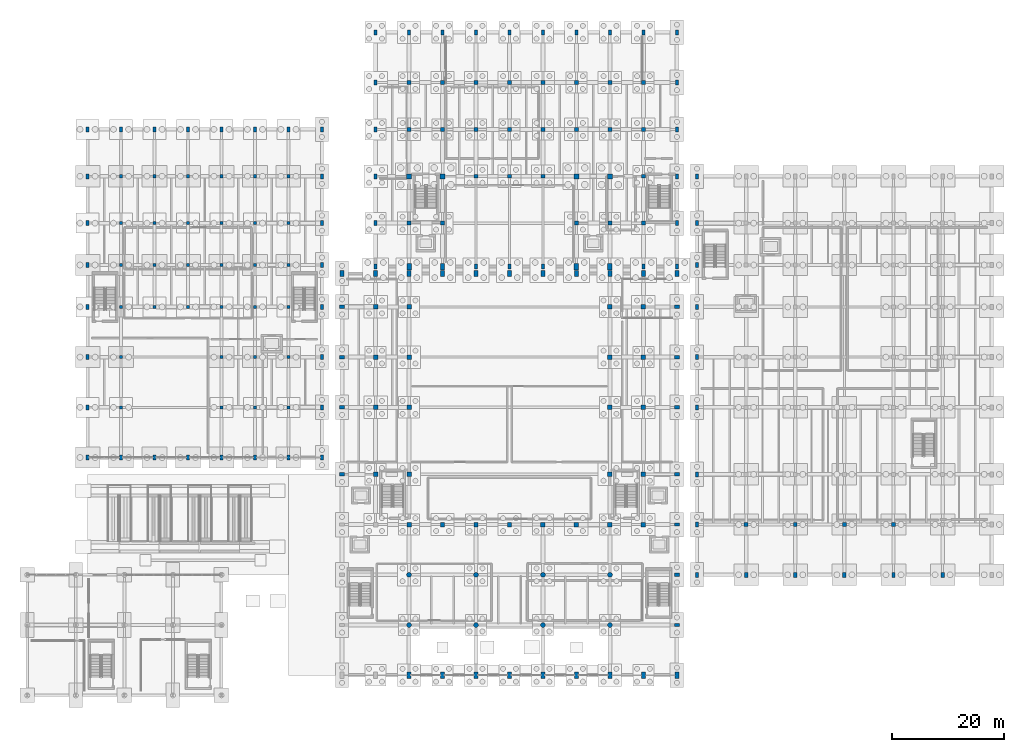
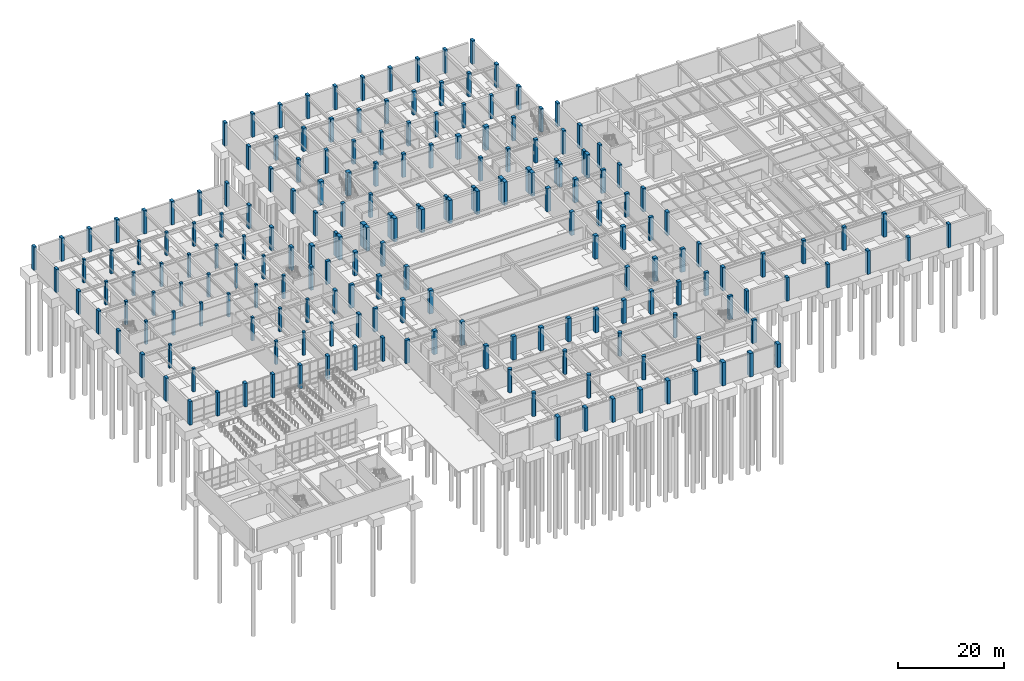
# One storey, part 14 of 69: 198 columns.
"""IFC4 building model written with IfcOpenShell, lengths in metres."""

import ifcopenshell
import ifcopenshell.guid

model = None  # the IFC model being written
_history = None  # IfcOwnerHistory: only IFC2X3 demands one
_inside = {}  # id of a spatial element -> (the spatial element, [elements in it])
_under = {}  # id of a project, library or spatial element -> (it, [spatial elements below it])
_declared = {}  # id of a project -> (the project, [libraries it declares])
_typed = {}  # id of a type object -> (the type object, [elements of that type])
_made_of = {}  # id of a material, layer set ... -> (it, [elements and type objects made of it])


def new_model(schema):
    """Start an empty IFC model of exactly this schema.

    Asked for "IFC4X3", IfcOpenShell would pick the latest addendum, in which some entities
    have other attributes; the version numbers below select the first issue.
    IFC2X3 requires an IfcOwnerHistory on every rooted entity: one is made here for all.
    """
    global model, _history
    if schema == "IFC4X3":
        model = ifcopenshell.file(schema_version=(4, 3, 0, 0))
    else:
        model = ifcopenshell.file(schema=schema)
    _inside.clear()
    _under.clear()
    _declared.clear()
    _typed.clear()
    _made_of.clear()
    _history = None
    if model.schema == "IFC2X3":
        org = make("IfcOrganization", Name="unknown")
        user = make(
            "IfcPersonAndOrganization",
            ThePerson=make("IfcPerson", FamilyName="unknown"),
            TheOrganization=org,
        )
        app = make(
            "IfcApplication",
            ApplicationDeveloper=org,
            Version="unknown",
            ApplicationFullName="unknown",
            ApplicationIdentifier="unknown",
        )
        _history = make(
            "IfcOwnerHistory",
            OwningUser=user,
            OwningApplication=app,
            ChangeAction="ADDED",
            CreationDate=0,
        )
    return model


def make(cls, **values):
    """One entity of the class cls with the attributes given. An attribute that is None is left unset."""
    return model.create_entity(
        cls, **{name: value for name, value in values.items() if value is not None}
    )


def rooted(cls, **values):
    """An entity with a GlobalId (a new one), such as an element, a storey or a relation."""
    return make(cls, GlobalId=ifcopenshell.guid.new(), OwnerHistory=_history, **values)


def si_unit(unit_type, name, prefix=None):
    """IfcSIUnit, for example si_unit("LENGTHUNIT", "METRE", prefix="MILLI")."""
    return make("IfcSIUnit", UnitType=unit_type, Prefix=prefix, Name=name)


def assignment(units):
    """IfcUnitAssignment: the units of a project."""
    return None if units is None else make("IfcUnitAssignment", Units=units)


def point(xyz):
    """IfcCartesianPoint."""
    return None if xyz is None else make("IfcCartesianPoint", Coordinates=xyz)


def direction(xyz):
    """IfcDirection."""
    return None if xyz is None else make("IfcDirection", DirectionRatios=xyz)


def frame(location, z_axis=None, x_axis=None):
    """IfcAxis2Placement3D, a coordinate frame: its origin and axes. An axis left out is left unset."""
    return make(
        "IfcAxis2Placement3D",
        Location=point(location),
        Axis=direction(z_axis),
        RefDirection=direction(x_axis),
    )


def frame_2d(location, x_axis=None):
    """IfcAxis2Placement2D, a coordinate frame in the plane: its origin and x axis."""
    return make(
        "IfcAxis2Placement2D", Location=point(location), RefDirection=direction(x_axis)
    )


def origin():
    """The frame at (0, 0, 0) with its axes left unset."""
    return frame((0.0, 0.0, 0.0))


def origin_2d():
    """The frame at (0, 0) in the plane with its x axis left unset."""
    return frame_2d((0.0, 0.0))


def place(relative_to, where):
    """IfcLocalPlacement: puts the frame where relative to a parent placement (None: the world)."""
    return make(
        "IfcLocalPlacement", PlacementRelTo=relative_to, RelativePlacement=where
    )


def context(
    kind, dimensions, precision=None, world=None, true_north=None, identifier=None
):
    """IfcGeometricRepresentationContext, for example the 3D "Model" context."""
    return make(
        "IfcGeometricRepresentationContext",
        ContextIdentifier=identifier,
        ContextType=kind,
        CoordinateSpaceDimension=dimensions,
        Precision=precision,
        WorldCoordinateSystem=world,
        TrueNorth=true_north,
    )


def subcontext(parent, identifier, kind, view, scale=None):
    """IfcGeometricRepresentationSubContext, for example "Body" below "Model"."""
    return make(
        "IfcGeometricRepresentationSubContext",
        ContextIdentifier=identifier,
        ContextType=kind,
        ParentContext=parent,
        TargetScale=scale,
        TargetView=view,
    )


def project(units=None, contexts=None):
    """IfcProject with its units and contexts."""
    return rooted(
        "IfcProject",
        Name="project",
        RepresentationContexts=contexts,
        UnitsInContext=assignment(units),
    )


def spatial(cls, under=None, at=None, **own):
    """A site, building, storey or space (cls), placed at a placement, below another one or the project."""
    s = rooted(cls, ObjectPlacement=at, **own)
    if under is not None:
        _under.setdefault(under.id(), (under, []))[1].append(s)
    return s


def profile(cls, at=None, kind="AREA", **sizes):
    """A parametric profile (cls). Its sizes go by their IFC names, for example OverallWidth=200.0."""
    return make(cls, ProfileType=kind, Position=at, **sizes)


def rectangle(**sizes):
    """IfcRectangleProfileDef."""
    return profile("IfcRectangleProfileDef", **sizes)


def circle(**sizes):
    """IfcCircleProfileDef."""
    return profile("IfcCircleProfileDef", **sizes)


def extrude(swept, where, along, depth):
    """IfcExtrudedAreaSolid: the profile swept, set in the frame where, extruded along a direction by depth."""
    return make(
        "IfcExtrudedAreaSolid",
        SweptArea=swept,
        Position=where,
        ExtrudedDirection=direction(along),
        Depth=depth,
    )


def shape(context_of_items, identifier, shape_type, items):
    """IfcShapeRepresentation: the items that make up one representation, for example the "Body"."""
    return make(
        "IfcShapeRepresentation",
        ContextOfItems=context_of_items,
        RepresentationIdentifier=identifier,
        RepresentationType=shape_type,
        Items=items,
    )


def material(Name=None, Category=None):
    """IfcMaterial."""
    return make("IfcMaterial", Name=Name, Category=Category)


def material_profile(
    of_material, cross_section, Name=None, Category=None, Priority=None
):
    """IfcMaterialProfile: a cross section and its material."""
    return make(
        "IfcMaterialProfile",
        Name=Name,
        Material=of_material,
        Profile=cross_section,
        Priority=Priority,
        Category=Category,
    )


def profile_set(profiles, Name=None, composite=None):
    """IfcMaterialProfileSet."""
    return make(
        "IfcMaterialProfileSet",
        Name=Name,
        MaterialProfiles=profiles,
        CompositeProfile=composite,
    )


def made_of(thing, what):
    """Note that an element or type object is made of a material, layer set ...; save() writes the relation."""
    if what is not None:
        _made_of.setdefault(what.id(), (what, []))[1].append(thing)
    return thing


def type_object(cls, material=None, **own):
    """A type object (cls), such as IfcWallType, which elements share."""
    return made_of(rooted(cls, **own), material)


def element(
    cls,
    number,
    at=None,
    inside=None,
    cuts=None,
    type_object=None,
    material=None,
    context=None,
    identifier="Body",
    shape_type=None,
    held_by="IfcProductDefinitionShape",
    body=None,
    shapes=None,
    **own,
):
    """One element of the class cls, such as IfcWall. Its Tag is "e" and its number.

    at: its placement. inside: the storey or other place that contains it. cuts: it is an
    opening in that element (IfcRelVoidsElement). A single representation is given by context,
    identifier, shape_type and body (its items); several are given by shapes. held_by: the class
    of the entity that holds the representations. save() writes the other relations.
    """
    e = rooted(cls, Tag="e%d" % number, ObjectPlacement=at, **own)
    if body is not None:
        shapes = [shape(context, identifier, shape_type, body)]
    if shapes is not None:
        e.Representation = make(held_by, Representations=shapes)
    if inside is not None:
        _inside.setdefault(inside.id(), (inside, []))[1].append(e)
    if cuts is not None:
        rooted(
            "IfcRelVoidsElement", RelatingBuildingElement=cuts, RelatedOpeningElement=e
        )
    if type_object is not None:
        _typed.setdefault(type_object.id(), (type_object, []))[1].append(e)
    return made_of(e, material)


def aggregate(whole, parts):
    """IfcRelAggregates: a whole, such as a stair, and the parts it consists of."""
    return rooted("IfcRelAggregates", RelatingObject=whole, RelatedObjects=parts)


def save(model, path):
    """Write the relations noted so far, then the file.

    IfcRelAggregates (storeys below a building ...), IfcRelContainedInSpatialStructure (elements
    in a storey), IfcRelDefinesByType, IfcRelAssociatesMaterial and IfcRelDeclares: one each for
    every whole, place, type object, material and project.
    """
    for whole, parts in _under.values():
        aggregate(whole, parts)
    for where, things in _inside.values():
        rooted(
            "IfcRelContainedInSpatialStructure",
            RelatedElements=things,
            RelatingStructure=where,
        )
    for kind, things in _typed.values():
        rooted("IfcRelDefinesByType", RelatedObjects=things, RelatingType=kind)
    for what, things in _made_of.values():
        rooted("IfcRelAssociatesMaterial", RelatedObjects=things, RelatingMaterial=what)
    for by, libraries in _declared.values():
        rooted("IfcRelDeclares", RelatingContext=by, RelatedDefinitions=libraries)
    model.write(path)


model = new_model("IFC4")

# Units and contexts
model_context = context("Model", 3, precision=1e-05, world=origin(), true_north=direction((0.0, 1.0)))
body_context = subcontext(model_context, "Body", "Model", "MODEL_VIEW")
ifc_project = project(units=[si_unit("LENGTHUNIT", "METRE"), si_unit("AREAUNIT", "SQUARE_METRE"), si_unit("VOLUMEUNIT", "CUBIC_METRE"), si_unit("PLANEANGLEUNIT", "RADIAN"), si_unit("MASSUNIT", "GRAM", prefix="KILO")], contexts=[model_context])

# Site, building, storey
site_placement = place(None, origin())
site = spatial("IfcSite", under=ifc_project, at=site_placement, CompositionType="ELEMENT")
building_placement = place(site_placement, origin())
building = spatial("IfcBuilding", under=site, at=building_placement, Name="Vaelkrest Opera House", CompositionType="ELEMENT")
storey_placement = place(building_placement, frame((0.0, 0.0, -5.39990234375)))
storey = spatial("IfcBuildingStorey", under=building, at=storey_placement, Name="B1", CompositionType="ELEMENT", Elevation=-5.39990234375)

# Columns
ifc_material = material(Name="Concrete C50/60", Category="concrete")
ifc_material_profile_1 = material_profile(ifc_material, rectangle(XDim=0.699951171875, YDim=0.699951171875, at=origin_2d()), Name="RC700X700")
ifc_profile_set_1 = profile_set([ifc_material_profile_1], Name="Concrete C50/60")
column_type_1 = type_object("IfcColumnType", Name="C03", PredefinedType="COLUMN", material=ifc_profile_set_1)
for number, where, z_axis, x_axis, name in (
    (1, (-18.0, 25.199951171875, 0.0), (0.0, 0.0, 1.0), (1.0, 0.0, 0.0), "Column COL-V2-B1-0463"),
    (2, (-18.0, 42.0, 0.0), (0.0, 0.0, 1.0), (1.0, 0.0, 0.0), "Column COL-V2-B1-0465"),
    (3, (-18.0, 50.39990234375, 0.0), (0.0, 0.0, 1.0), (1.0, 0.0, 0.0), "Column COL-V2-B1-0466"),
    (4, (-12.0, 25.199951171875, 0.0), (0.0, 0.0, 1.0), (1.0, 0.0, 0.0), "Column COL-V2-B1-0469"),
    (5, (-12.0, 42.0, 0.0), (0.0, 0.0, 1.0), (1.0, 0.0, 0.0), "Column COL-V2-B1-0471"),
    (6, (-12.0, 50.39990234375, 0.0), (0.0, 0.0, 1.0), (1.0, 0.0, 0.0), "Column COL-V2-B1-0472"),
    (7, (-6.0, 33.60009765625, 0.0), (0.0, 0.0, 1.0), (1.0, 0.0, 0.0), "Column COL-V2-B1-0475"),
    (8, (-6.0, 42.0, 0.0), (0.0, 0.0, 1.0), (1.0, 0.0, 0.0), "Column COL-V2-B1-0476"),
    (9, (-6.0, 50.39990234375, 0.0), (0.0, 0.0, 1.0), (1.0, 0.0, 0.0), "Column COL-V2-B1-0477"),
    (10, (0.0, 33.60009765625, 0.0), (0.0, 0.0, 1.0), (1.0, 0.0, 0.0), "Column COL-V2-B1-0480"),
    (11, (0.0, 42.0, 0.0), (0.0, 0.0, 1.0), (1.0, 0.0, 0.0), "Column COL-V2-B1-0481"),
    (12, (0.0, 50.39990234375, 0.0), (0.0, 0.0, 1.0), (1.0, 0.0, 0.0), "Column COL-V2-B1-0482"),
    (13, (6.0, 33.60009765625, 0.0), (0.0, 0.0, 1.0), (1.0, 0.0, 0.0), "Column COL-V2-B1-0485"),
    (14, (6.0, 42.0, 0.0), (0.0, 0.0, 1.0), (1.0, 0.0, 0.0), "Column COL-V2-B1-0486"),
    (15, (6.0, 50.39990234375, 0.0), (0.0, 0.0, 1.0), (1.0, 0.0, 0.0), "Column COL-V2-B1-0487"),
    (16, (12.0, 25.199951171875, 0.0), (0.0, 0.0, 1.0), (1.0, 0.0, 0.0), "Column COL-V2-B1-0490"),
    (17, (12.0, 42.0, 0.0), (0.0, 0.0, 1.0), (1.0, 0.0, 0.0), "Column COL-V2-B1-0492"),
    (18, (12.0, 50.39990234375, 0.0), (0.0, 0.0, 1.0), (1.0, 0.0, 0.0), "Column COL-V2-B1-0493"),
    (19, (18.0, 25.199951171875, 0.0), (0.0, 0.0, 1.0), (1.0, 0.0, 0.0), "Column COL-V2-B1-0496"),
    (20, (18.0, 42.0, 0.0), (0.0, 0.0, 1.0), (1.0, 0.0, 0.0), "Column COL-V2-B1-0498"),
    (21, (18.0, 50.39990234375, 0.0), (0.0, 0.0, 1.0), (1.0, 0.0, 0.0), "Column COL-V2-B1-0499"),
    (22, (24.0, 25.199951171875, 0.0), (0.0, 0.0, 1.0), (1.0, 0.0, 0.0), "Column COL-V2-B1-0502"),
    (23, (24.0, 33.60009765625, 0.0), (0.0, 0.0, 1.0), (1.0, 0.0, 0.0), "Column COL-V2-B1-0503"),
    (24, (24.0, 42.0, 0.0), (0.0, 0.0, 1.0), (1.0, 0.0, 0.0), "Column COL-V2-B1-0504"),
    (25, (24.0, 50.39990234375, 0.0), (0.0, 0.0, 1.0), (1.0, 0.0, 0.0), "Column COL-V2-B1-0505"),
    (26, (42.39990234375, -28.800048828125, 0.0), (0.0, 0.0, 1.0), (1.0, 0.0, 0.0), "Column COL-V4-B1-1130"),
    (27, (51.199951171875, -28.800048828125, 0.0), (0.0, 0.0, 1.0), (1.0, 0.0, 0.0), "Column COL-V4-B1-1139"),
    (28, (60.0, -28.800048828125, 0.0), (0.0, 0.0, 1.0), (1.0, 0.0, 0.0), "Column COL-V4-B1-1148"),
    (29, (68.800048828125, -28.800048828125, 0.0), (0.0, 0.0, 1.0), (1.0, 0.0, 0.0), "Column COL-V4-B1-1155"),
):
    element("IfcColumn", number, at=place(storey_placement, frame(where, z_axis=z_axis, x_axis=x_axis)), inside=storey, type_object=column_type_1, Name=name, PredefinedType="COLUMN", context=body_context, shape_type="SweptSolid", body=[
        extrude(rectangle(XDim=0.699951171875, YDim=0.699951171875, at=origin_2d()), origin(), (0.0, 0.0, 1.0), 5.39990234375),
    ])
ifc_material_profile_2 = material_profile(ifc_material, rectangle(XDim=0.800048828125, YDim=0.800048828125, at=origin_2d()), Name="RC800X800")
ifc_profile_set_2 = profile_set([ifc_material_profile_2], Name="Concrete C50/60")
column_type_2 = type_object("IfcColumnType", Name="C04", PredefinedType="COLUMN", material=ifc_profile_set_2)
for number, where, z_axis, x_axis, name in (
    (30, (-24.0, -19.800048828125, 0.0), (0.0, 0.0, 1.0), (1.0, 0.0, 0.0), "Column COL-V1-B1-0012"),
    (31, (-24.0, -7.800048828125, 0.0), (0.0, 0.0, 1.0), (1.0, 0.0, 0.0), "Column COL-V1-B1-0013"),
    (32, (-24.0, 1.199951171875, 0.0), (0.0, 0.0, 1.0), (1.0, 0.0, 0.0), "Column COL-V1-B1-0014"),
    (33, (-24.0, 10.199951171875, 0.0), (0.0, 0.0, 1.0), (1.0, 0.0, 0.0), "Column COL-V1-B1-0015"),
    (34, (-18.0, -28.800048828125, 0.0), (0.0, 0.0, 1.0), (1.0, 0.0, 0.0), "Column COL-V1-B1-0020"),
    (35, (-18.0, -19.800048828125, 0.0), (0.0, 0.0, 1.0), (1.0, 0.0, 0.0), "Column COL-V1-B1-0021"),
    (36, (-18.0, -7.800048828125, 0.0), (0.0, 0.0, 1.0), (1.0, 0.0, 0.0), "Column COL-V1-B1-0022"),
    (37, (-18.0, 1.199951171875, 0.0), (0.0, 0.0, 1.0), (1.0, 0.0, 0.0), "Column COL-V1-B1-0023"),
    (38, (-18.0, 10.199951171875, 0.0), (0.0, 0.0, 1.0), (1.0, 0.0, 0.0), "Column COL-V1-B1-0024"),
    (39, (-12.0, -28.800048828125, 0.0), (0.0, 0.0, 1.0), (1.0, 0.0, 0.0), "Column COL-V1-B1-0027"),
    (40, (-6.0, -28.800048828125, 0.0), (0.0, 0.0, 1.0), (1.0, 0.0, 0.0), "Column COL-V1-B1-0032"),
    (41, (0.0, -28.800048828125, 0.0), (0.0, 0.0, 1.0), (1.0, 0.0, 0.0), "Column COL-V1-B1-0035"),
    (42, (6.0, -28.800048828125, 0.0), (0.0, 0.0, 1.0), (1.0, 0.0, 0.0), "Column COL-V1-B1-0040"),
    (43, (12.0, -28.800048828125, 0.0), (0.0, 0.0, 1.0), (1.0, 0.0, 0.0), "Column COL-V1-B1-0043"),
    (44, (18.0, -28.800048828125, 0.0), (0.0, 0.0, 1.0), (1.0, 0.0, 0.0), "Column COL-V1-B1-0048"),
    (45, (18.0, -19.800048828125, 0.0), (0.0, 0.0, 1.0), (1.0, 0.0, 0.0), "Column COL-V1-B1-0049"),
    (46, (18.0, -7.800048828125, 0.0), (0.0, 0.0, 1.0), (1.0, 0.0, 0.0), "Column COL-V1-B1-0050"),
    (47, (18.0, 1.199951171875, 0.0), (0.0, 0.0, 1.0), (1.0, 0.0, 0.0), "Column COL-V1-B1-0051"),
    (48, (18.0, 10.199951171875, 0.0), (0.0, 0.0, 1.0), (1.0, 0.0, 0.0), "Column COL-V1-B1-0052"),
    (49, (24.0, -28.800048828125, 0.0), (0.0, 0.0, 1.0), (1.0, 0.0, 0.0), "Column COL-V1-B1-0055"),
    (50, (24.0, -19.800048828125, 0.0), (0.0, 0.0, 1.0), (1.0, 0.0, 0.0), "Column COL-V1-B1-0056"),
    (51, (24.0, -7.800048828125, 0.0), (0.0, 0.0, 1.0), (1.0, 0.0, 0.0), "Column COL-V1-B1-0057"),
    (52, (24.0, 1.199951171875, 0.0), (0.0, 0.0, 1.0), (1.0, 0.0, 0.0), "Column COL-V1-B1-0058"),
    (53, (24.0, 10.199951171875, 0.0), (0.0, 0.0, 1.0), (1.0, 0.0, 0.0), "Column COL-V1-B1-0059"),
):
    element("IfcColumn", number, at=place(storey_placement, frame(where, z_axis=z_axis, x_axis=x_axis)), inside=storey, type_object=column_type_2, Name=name, PredefinedType="COLUMN", context=body_context, shape_type="SweptSolid", body=[
        extrude(rectangle(XDim=0.800048828125, YDim=0.800048828125, at=origin_2d()), origin(), (0.0, 0.0, 1.0), 5.39990234375),
    ])
ifc_material_profile_3 = material_profile(ifc_material, rectangle(XDim=0.89990234375, YDim=0.89990234375, at=origin_2d()), Name="RC900X900")
ifc_profile_set_3 = profile_set([ifc_material_profile_3], Name="Concrete C50/60")
column_type_3 = type_object("IfcColumnType", Name="C05", PredefinedType="COLUMN", material=ifc_profile_set_3)
for number, where, z_axis, x_axis, name in (
    (54, (-18.0, 33.60009765625, 0.0), (0.0, 0.0, 1.0), (1.0, 0.0, 0.0), "Column COL-V2-B1-0464"),
    (55, (-12.0, 33.60009765625, 0.0), (0.0, 0.0, 1.0), (1.0, 0.0, 0.0), "Column COL-V2-B1-0470"),
    (56, (12.0, 33.60009765625, 0.0), (0.0, 0.0, 1.0), (1.0, 0.0, 0.0), "Column COL-V2-B1-0491"),
    (57, (18.0, 33.60009765625, 0.0), (0.0, 0.0, 1.0), (1.0, 0.0, 0.0), "Column COL-V2-B1-0497"),
):
    element("IfcColumn", number, at=place(storey_placement, frame(where, z_axis=z_axis, x_axis=x_axis)), inside=storey, type_object=column_type_3, Name=name, PredefinedType="COLUMN", context=body_context, shape_type="SweptSolid", body=[
        extrude(rectangle(XDim=0.89990234375, YDim=0.89990234375, at=origin_2d()), origin(), (0.0, 0.0, 1.0), 5.39990234375),
    ])
ifc_material_profile_4 = material_profile(ifc_material, rectangle(XDim=0.60009765625, YDim=0.89990234375, at=origin_2d()), Name="RC600X900")
ifc_profile_set_4 = profile_set([ifc_material_profile_4], Name="Concrete C50/60")
column_type_4 = type_object("IfcColumnType", Name="C06", PredefinedType="COLUMN", material=ifc_profile_set_4)
for number, where, z_axis, x_axis, name in (
    (58, (-30.0, -19.800048828125, 0.0), (0.0, 0.0, 1.0), (0.0, 1.0, 0.0), "Column COL-V1-B1-0005"),
    (59, (-30.0, -7.800048828125, 0.0), (0.0, 0.0, 1.0), (0.0, 1.0, 0.0), "Column COL-V1-B1-0006"),
    (60, (-30.0, 1.199951171875, 0.0), (0.0, 0.0, 1.0), (0.0, 1.0, 0.0), "Column COL-V1-B1-0007"),
    (61, (-30.0, 10.199951171875, 0.0), (0.0, 0.0, 1.0), (0.0, 1.0, 0.0), "Column COL-V1-B1-0008"),
    (62, (30.0, -46.800048828125, 0.0), (0.0, 0.0, 1.0), (0.0, 1.0, 0.0), "Column COL-V1-B1-0062"),
    (63, (30.0, -37.800048828125, 0.0), (0.0, 0.0, 1.0), (0.0, 1.0, 0.0), "Column COL-V1-B1-0063"),
    (64, (30.0, -28.800048828125, 0.0), (0.0, 0.0, 1.0), (0.0, 1.0, 0.0), "Column COL-V1-B1-0064"),
    (65, (30.0, -19.800048828125, 0.0), (0.0, 0.0, 1.0), (0.0, 1.0, 0.0), "Column COL-V1-B1-0065"),
    (66, (30.0, -7.800048828125, 0.0), (0.0, 0.0, 1.0), (0.0, 1.0, 0.0), "Column COL-V1-B1-0066"),
    (67, (30.0, 1.199951171875, 0.0), (0.0, 0.0, 1.0), (0.0, 1.0, 0.0), "Column COL-V1-B1-0067"),
    (68, (30.0, 10.199951171875, 0.0), (0.0, 0.0, 1.0), (0.0, 1.0, 0.0), "Column COL-V1-B1-0068"),
    (69, (-24.0, 17.39990234375, 0.0), (0.0, 0.0, 1.0), (1.0, 0.0, 0.0), "Column COL-V2-B1-0456"),
    (70, (-24.0, 25.199951171875, 0.0), (0.0, 0.0, 1.0), (1.0, 0.0, 0.0), "Column COL-V2-B1-0457"),
    (71, (-24.0, 33.60009765625, 0.0), (0.0, 0.0, 1.0), (1.0, 0.0, 0.0), "Column COL-V2-B1-0458"),
    (72, (-24.0, 42.0, 0.0), (0.0, 0.0, 1.0), (1.0, 0.0, 0.0), "Column COL-V2-B1-0459"),
    (73, (-24.0, 50.39990234375, 0.0), (0.0, 0.0, 1.0), (1.0, 0.0, 0.0), "Column COL-V2-B1-0460"),
    (74, (-24.0, 59.39990234375, 0.0), (0.0, 0.0, 1.0), (1.0, 0.0, 0.0), "Column COL-V2-B1-0461"),
    (75, (-18.0, 59.39990234375, 0.0), (0.0, 0.0, 1.0), (1.0, 0.0, 0.0), "Column COL-V2-B1-0467"),
    (76, (-12.0, 59.39990234375, 0.0), (0.0, 0.0, 1.0), (1.0, 0.0, 0.0), "Column COL-V2-B1-0473"),
    (77, (-6.0, 17.39990234375, 0.0), (0.0, 0.0, 1.0), (1.0, 0.0, 0.0), "Column COL-V2-B1-0474"),
    (78, (-6.0, 59.39990234375, 0.0), (0.0, 0.0, 1.0), (1.0, 0.0, 0.0), "Column COL-V2-B1-0478"),
    (79, (0.0, 17.39990234375, 0.0), (0.0, 0.0, 1.0), (1.0, 0.0, 0.0), "Column COL-V2-B1-0479"),
    (80, (0.0, 59.39990234375, 0.0), (0.0, 0.0, 1.0), (1.0, 0.0, 0.0), "Column COL-V2-B1-0483"),
    (81, (6.0, 17.39990234375, 0.0), (0.0, 0.0, 1.0), (1.0, 0.0, 0.0), "Column COL-V2-B1-0484"),
    (82, (6.0, 59.39990234375, 0.0), (0.0, 0.0, 1.0), (1.0, 0.0, 0.0), "Column COL-V2-B1-0488"),
    (83, (12.0, 59.39990234375, 0.0), (0.0, 0.0, 1.0), (1.0, 0.0, 0.0), "Column COL-V2-B1-0494"),
    (84, (18.0, 59.39990234375, 0.0), (0.0, 0.0, 1.0), (1.0, 0.0, 0.0), "Column COL-V2-B1-0500"),
    (85, (24.0, 17.39990234375, 0.0), (0.0, 0.0, 1.0), (1.0, 0.0, 0.0), "Column COL-V2-B1-0501"),
    (86, (24.0, 59.39990234375, 0.0), (0.0, 0.0, 1.0), (1.0, 0.0, 0.0), "Column COL-V2-B1-0506"),
    (87, (30.0, 17.39990234375, 0.0), (0.0, 0.0, 1.0), (1.0, 0.0, 0.0), "Column COL-V2-B1-0507"),
    (88, (30.0, 25.199951171875, 0.0), (0.0, 0.0, 1.0), (1.0, 0.0, 0.0), "Column COL-V2-B1-0508"),
    (89, (30.0, 33.60009765625, 0.0), (0.0, 0.0, 1.0), (1.0, 0.0, 0.0), "Column COL-V2-B1-0509"),
    (90, (30.0, 42.0, 0.0), (0.0, 0.0, 1.0), (1.0, 0.0, 0.0), "Column COL-V2-B1-0510"),
    (91, (30.0, 50.39990234375, 0.0), (0.0, 0.0, 1.0), (1.0, 0.0, 0.0), "Column COL-V2-B1-0511"),
    (92, (30.0, 59.39990234375, 0.0), (0.0, 0.0, 1.0), (1.0, 0.0, 0.0), "Column COL-V2-B1-0512"),
    (93, (-75.60009765625, -16.800048828125, 0.0), (0.0, 0.0, 1.0), (1.0, 0.0, 0.0), "Column COL-V3-B1-0824"),
    (94, (-75.60009765625, -7.800048828125, 0.0), (0.0, 0.0, 1.0), (1.0, 0.0, 0.0), "Column COL-V3-B1-0825"),
    (95, (-75.60009765625, 1.199951171875, 0.0), (0.0, 0.0, 1.0), (1.0, 0.0, 0.0), "Column COL-V3-B1-0826"),
    (96, (-75.60009765625, 10.199951171875, 0.0), (0.0, 0.0, 1.0), (1.0, 0.0, 0.0), "Column COL-V3-B1-0827"),
    (97, (-75.60009765625, 17.699951171875, 0.0), (0.0, 0.0, 1.0), (1.0, 0.0, 0.0), "Column COL-V3-B1-0828"),
    (98, (-75.60009765625, 25.199951171875, 0.0), (0.0, 0.0, 1.0), (1.0, 0.0, 0.0), "Column COL-V3-B1-0829"),
    (99, (-75.60009765625, 33.60009765625, 0.0), (0.0, 0.0, 1.0), (1.0, 0.0, 0.0), "Column COL-V3-B1-0830"),
    (100, (-75.60009765625, 42.0, 0.0), (0.0, 0.0, 1.0), (1.0, 0.0, 0.0), "Column COL-V3-B1-0831"),
    (101, (-69.60009765625, -16.800048828125, 0.0), (0.0, 0.0, 1.0), (1.0, 0.0, 0.0), "Column COL-V3-B1-0832"),
    (102, (-69.60009765625, 42.0, 0.0), (0.0, 0.0, 1.0), (1.0, 0.0, 0.0), "Column COL-V3-B1-0839"),
    (103, (-63.60009765625, -16.800048828125, 0.0), (0.0, 0.0, 1.0), (1.0, 0.0, 0.0), "Column COL-V3-B1-0840"),
    (104, (-63.60009765625, 42.0, 0.0), (0.0, 0.0, 1.0), (1.0, 0.0, 0.0), "Column COL-V3-B1-0845"),
    (105, (-57.60009765625, -16.800048828125, 0.0), (0.0, 0.0, 1.0), (1.0, 0.0, 0.0), "Column COL-V3-B1-0846"),
    (106, (-57.60009765625, 42.0, 0.0), (0.0, 0.0, 1.0), (1.0, 0.0, 0.0), "Column COL-V3-B1-0851"),
    (107, (-51.60009765625, -16.800048828125, 0.0), (0.0, 0.0, 1.0), (1.0, 0.0, 0.0), "Column COL-V3-B1-0852"),
    (108, (-51.60009765625, 42.0, 0.0), (0.0, 0.0, 1.0), (1.0, 0.0, 0.0), "Column COL-V3-B1-0859"),
    (109, (-45.60009765625, -16.800048828125, 0.0), (0.0, 0.0, 1.0), (1.0, 0.0, 0.0), "Column COL-V3-B1-0860"),
    (110, (-45.60009765625, 42.0, 0.0), (0.0, 0.0, 1.0), (1.0, 0.0, 0.0), "Column COL-V3-B1-0867"),
    (111, (-39.60009765625, -16.800048828125, 0.0), (0.0, 0.0, 1.0), (1.0, 0.0, 0.0), "Column COL-V3-B1-0868"),
    (112, (-39.60009765625, 42.0, 0.0), (0.0, 0.0, 1.0), (1.0, 0.0, 0.0), "Column COL-V3-B1-0875"),
    (113, (-33.60009765625, -16.800048828125, 0.0), (0.0, 0.0, 1.0), (1.0, 0.0, 0.0), "Column COL-V3-B1-0876"),
    (114, (-33.60009765625, -7.800048828125, 0.0), (0.0, 0.0, 1.0), (1.0, 0.0, 0.0), "Column COL-V3-B1-0877"),
    (115, (-33.60009765625, 1.199951171875, 0.0), (0.0, 0.0, 1.0), (1.0, 0.0, 0.0), "Column COL-V3-B1-0878"),
    (116, (-33.60009765625, 10.199951171875, 0.0), (0.0, 0.0, 1.0), (1.0, 0.0, 0.0), "Column COL-V3-B1-0879"),
    (117, (-33.60009765625, 17.699951171875, 0.0), (0.0, 0.0, 1.0), (1.0, 0.0, 0.0), "Column COL-V3-B1-0880"),
    (118, (-33.60009765625, 25.199951171875, 0.0), (0.0, 0.0, 1.0), (1.0, 0.0, 0.0), "Column COL-V3-B1-0881"),
    (119, (-33.60009765625, 33.60009765625, 0.0), (0.0, 0.0, 1.0), (1.0, 0.0, 0.0), "Column COL-V3-B1-0882"),
    (120, (-33.60009765625, 42.0, 0.0), (0.0, 0.0, 1.0), (1.0, 0.0, 0.0), "Column COL-V3-B1-0883"),
    (121, (33.60009765625, -37.800048828125, 0.0), (0.0, 0.0, 1.0), (1.0, 0.0, 0.0), "Column COL-V4-B1-1120"),
    (122, (33.60009765625, -28.800048828125, 0.0), (0.0, 0.0, 1.0), (1.0, 0.0, 0.0), "Column COL-V4-B1-1121"),
    (123, (33.60009765625, -19.800048828125, 0.0), (0.0, 0.0, 1.0), (1.0, 0.0, 0.0), "Column COL-V4-B1-1122"),
    (124, (33.60009765625, -7.800048828125, 0.0), (0.0, 0.0, 1.0), (1.0, 0.0, 0.0), "Column COL-V4-B1-1123"),
    (125, (33.60009765625, 1.199951171875, 0.0), (0.0, 0.0, 1.0), (1.0, 0.0, 0.0), "Column COL-V4-B1-1124"),
    (126, (33.60009765625, 10.199951171875, 0.0), (0.0, 0.0, 1.0), (1.0, 0.0, 0.0), "Column COL-V4-B1-1125"),
    (127, (33.60009765625, 17.699951171875, 0.0), (0.0, 0.0, 1.0), (1.0, 0.0, 0.0), "Column COL-V4-B1-1126"),
    (128, (33.60009765625, 25.199951171875, 0.0), (0.0, 0.0, 1.0), (1.0, 0.0, 0.0), "Column COL-V4-B1-1127"),
    (129, (33.60009765625, 33.60009765625, 0.0), (0.0, 0.0, 1.0), (1.0, 0.0, 0.0), "Column COL-V4-B1-1128"),
    (130, (42.39990234375, -37.800048828125, 0.0), (0.0, 0.0, 1.0), (1.0, 0.0, 0.0), "Column COL-V4-B1-1129"),
    (131, (51.199951171875, -37.800048828125, 0.0), (0.0, 0.0, 1.0), (1.0, 0.0, 0.0), "Column COL-V4-B1-1138"),
    (132, (60.0, -37.800048828125, 0.0), (0.0, 0.0, 1.0), (1.0, 0.0, 0.0), "Column COL-V4-B1-1147"),
    (133, (68.800048828125, -37.800048828125, 0.0), (0.0, 0.0, 1.0), (1.0, 0.0, 0.0), "Column COL-V4-B1-1154"),
    (134, (77.60009765625, -37.800048828125, 0.0), (0.0, 0.0, 1.0), (1.0, 0.0, 0.0), "Column COL-V4-B1-1163"),
):
    element("IfcColumn", number, at=place(storey_placement, frame(where, z_axis=z_axis, x_axis=x_axis)), inside=storey, type_object=column_type_4, Name=name, PredefinedType="COLUMN", context=body_context, shape_type="SweptSolid", body=[
        extrude(rectangle(XDim=0.60009765625, YDim=0.89990234375, at=origin_2d()), origin(), (0.0, 0.0, 1.0), 5.39990234375),
    ])
ifc_material_profile_5 = material_profile(ifc_material, rectangle(XDim=0.699951171875, YDim=1.10009765625, at=origin_2d()), Name="RC700X1100")
ifc_profile_set_5 = profile_set([ifc_material_profile_5], Name="Concrete C50/60")
column_type_5 = type_object("IfcColumnType", Name="C07", PredefinedType="COLUMN", material=ifc_profile_set_5)
for number, where, z_axis, x_axis, name in (
    (135, (-30.0, 16.199951171875, 0.0), (0.0, 0.0, 1.0), (1.0, 0.0, 0.0), "Column COL-V1-B1-0009"),
    (136, (-24.0, 16.199951171875, 0.0), (0.0, 0.0, 1.0), (1.0, 0.0, 0.0), "Column COL-V1-B1-0016"),
    (137, (-18.0, -55.800048828125, 0.0), (0.0, 0.0, 1.0), (1.0, 0.0, 0.0), "Column COL-V1-B1-0017"),
    (138, (-18.0, 16.199951171875, 0.0), (0.0, 0.0, 1.0), (1.0, 0.0, 0.0), "Column COL-V1-B1-0025"),
    (139, (-12.0, -55.800048828125, 0.0), (0.0, 0.0, 1.0), (1.0, 0.0, 0.0), "Column COL-V1-B1-0026"),
    (140, (-12.0, 16.199951171875, 0.0), (0.0, 0.0, 1.0), (1.0, 0.0, 0.0), "Column COL-V1-B1-0028"),
    (141, (-6.0, -55.800048828125, 0.0), (0.0, 0.0, 1.0), (1.0, 0.0, 0.0), "Column COL-V1-B1-0029"),
    (142, (-6.0, 16.199951171875, 0.0), (0.0, 0.0, 1.0), (1.0, 0.0, 0.0), "Column COL-V1-B1-0033"),
    (143, (0.0, -55.800048828125, 0.0), (0.0, 0.0, 1.0), (1.0, 0.0, 0.0), "Column COL-V1-B1-0034"),
    (144, (0.0, 16.199951171875, 0.0), (0.0, 0.0, 1.0), (1.0, 0.0, 0.0), "Column COL-V1-B1-0036"),
    (145, (6.0, -55.800048828125, 0.0), (0.0, 0.0, 1.0), (1.0, 0.0, 0.0), "Column COL-V1-B1-0037"),
    (146, (6.0, 16.199951171875, 0.0), (0.0, 0.0, 1.0), (1.0, 0.0, 0.0), "Column COL-V1-B1-0041"),
    (147, (12.0, -55.800048828125, 0.0), (0.0, 0.0, 1.0), (1.0, 0.0, 0.0), "Column COL-V1-B1-0042"),
    (148, (12.0, 16.199951171875, 0.0), (0.0, 0.0, 1.0), (1.0, 0.0, 0.0), "Column COL-V1-B1-0044"),
    (149, (18.0, -55.800048828125, 0.0), (0.0, 0.0, 1.0), (1.0, 0.0, 0.0), "Column COL-V1-B1-0045"),
    (150, (18.0, 16.199951171875, 0.0), (0.0, 0.0, 1.0), (1.0, 0.0, 0.0), "Column COL-V1-B1-0053"),
    (151, (24.0, -55.800048828125, 0.0), (0.0, 0.0, 1.0), (1.0, 0.0, 0.0), "Column COL-V1-B1-0054"),
    (152, (24.0, 16.199951171875, 0.0), (0.0, 0.0, 1.0), (1.0, 0.0, 0.0), "Column COL-V1-B1-0060"),
    (153, (30.0, -55.800048828125, 0.0), (0.0, 0.0, 1.0), (1.0, 0.0, 0.0), "Column COL-V1-B1-0061"),
    (154, (30.0, 16.199951171875, 0.0), (0.0, 0.0, 1.0), (1.0, 0.0, 0.0), "Column COL-V1-B1-0069"),
):
    element("IfcColumn", number, at=place(storey_placement, frame(where, z_axis=z_axis, x_axis=x_axis)), inside=storey, type_object=column_type_5, Name=name, PredefinedType="COLUMN", context=body_context, shape_type="SweptSolid", body=[
        extrude(rectangle(XDim=0.699951171875, YDim=1.10009765625, at=origin_2d()), origin(), (0.0, 0.0, 1.0), 5.39990234375),
    ])
ifc_material_profile_6 = material_profile(ifc_material, rectangle(XDim=0.800048828125, YDim=1.199951171875, at=origin_2d()), Name="RC800X1200")
ifc_profile_set_6 = profile_set([ifc_material_profile_6], Name="Concrete C50/60")
column_type_6 = type_object("IfcColumnType", Name="C08", PredefinedType="COLUMN", material=ifc_profile_set_6)
for number, where, z_axis, x_axis, name in (
    (155, (-18.0, 17.39990234375, 0.0), (0.0, 0.0, 1.0), (1.0, 0.0, 0.0), "Column COL-V2-B1-0462"),
    (156, (-12.0, 17.39990234375, 0.0), (0.0, 0.0, 1.0), (1.0, 0.0, 0.0), "Column COL-V2-B1-0468"),
    (157, (12.0, 17.39990234375, 0.0), (0.0, 0.0, 1.0), (1.0, 0.0, 0.0), "Column COL-V2-B1-0489"),
    (158, (18.0, 17.39990234375, 0.0), (0.0, 0.0, 1.0), (1.0, 0.0, 0.0), "Column COL-V2-B1-0495"),
):
    element("IfcColumn", number, at=place(storey_placement, frame(where, z_axis=z_axis, x_axis=x_axis)), inside=storey, type_object=column_type_6, Name=name, PredefinedType="COLUMN", context=body_context, shape_type="SweptSolid", body=[
        extrude(rectangle(XDim=0.800048828125, YDim=1.199951171875, at=origin_2d()), origin(), (0.0, 0.0, 1.0), 5.39990234375),
    ])
ifc_material_profile_7 = material_profile(ifc_material, circle(Radius=0.425048828125, at=origin_2d()), Name="RCD850")
ifc_profile_set_7 = profile_set([ifc_material_profile_7], Name="Concrete C50/60")
column_type_7 = type_object("IfcColumnType", Name="C10", PredefinedType="COLUMN", material=ifc_profile_set_7)
for number, where, z_axis, x_axis, name in (
    (159, (-18.0, -46.800048828125, 0.0), (0.0, 0.0, 1.0), (1.0, 0.0, 0.0), "Column COL-V1-B1-0018"),
    (160, (-18.0, -37.800048828125, 0.0), (0.0, 0.0, 1.0), (1.0, 0.0, 0.0), "Column COL-V1-B1-0019"),
    (161, (-6.0, -46.800048828125, 0.0), (0.0, 0.0, 1.0), (1.0, 0.0, 0.0), "Column COL-V1-B1-0030"),
    (162, (-6.0, -37.800048828125, 0.0), (0.0, 0.0, 1.0), (1.0, 0.0, 0.0), "Column COL-V1-B1-0031"),
    (163, (6.0, -46.800048828125, 0.0), (0.0, 0.0, 1.0), (1.0, 0.0, 0.0), "Column COL-V1-B1-0038"),
    (164, (6.0, -37.800048828125, 0.0), (0.0, 0.0, 1.0), (1.0, 0.0, 0.0), "Column COL-V1-B1-0039"),
    (165, (18.0, -46.800048828125, 0.0), (0.0, 0.0, 1.0), (1.0, 0.0, 0.0), "Column COL-V1-B1-0046"),
    (166, (18.0, -37.800048828125, 0.0), (0.0, 0.0, 1.0), (1.0, 0.0, 0.0), "Column COL-V1-B1-0047"),
):
    element("IfcColumn", number, at=place(storey_placement, frame(where, z_axis=z_axis, x_axis=x_axis)), inside=storey, type_object=column_type_7, Name=name, PredefinedType="COLUMN", context=body_context, shape_type="SweptSolid", body=[
        extrude(circle(Radius=0.425048828125, at=origin_2d()), origin(), (0.0, 0.0, 1.0), 5.39990234375),
    ])
ifc_material_profile_8 = material_profile(ifc_material, rectangle(XDim=0.550048828125, YDim=0.550048828125, at=origin_2d()), Name="RC550X550")
ifc_profile_set_8 = profile_set([ifc_material_profile_8], Name="Concrete C50/60")
column_type_8 = type_object("IfcColumnType", Name="C13", PredefinedType="COLUMN", material=ifc_profile_set_8)
for number, where, z_axis, x_axis, name in (
    (167, (-69.60009765625, -7.800048828125, 0.0), (0.0, 0.0, 1.0), (1.0, 0.0, 0.0), "Column COL-V3-B1-0833"),
    (168, (-69.60009765625, 1.199951171875, 0.0), (0.0, 0.0, 1.0), (1.0, 0.0, 0.0), "Column COL-V3-B1-0834"),
    (169, (-69.60009765625, 10.199951171875, 0.0), (0.0, 0.0, 1.0), (1.0, 0.0, 0.0), "Column COL-V3-B1-0835"),
    (170, (-69.60009765625, 17.699951171875, 0.0), (0.0, 0.0, 1.0), (1.0, 0.0, 0.0), "Column COL-V3-B1-0836"),
    (171, (-69.60009765625, 25.199951171875, 0.0), (0.0, 0.0, 1.0), (1.0, 0.0, 0.0), "Column COL-V3-B1-0837"),
    (172, (-69.60009765625, 33.60009765625, 0.0), (0.0, 0.0, 1.0), (1.0, 0.0, 0.0), "Column COL-V3-B1-0838"),
    (173, (-63.60009765625, 10.199951171875, 0.0), (0.0, 0.0, 1.0), (1.0, 0.0, 0.0), "Column COL-V3-B1-0841"),
    (174, (-63.60009765625, 17.699951171875, 0.0), (0.0, 0.0, 1.0), (1.0, 0.0, 0.0), "Column COL-V3-B1-0842"),
    (175, (-63.60009765625, 25.199951171875, 0.0), (0.0, 0.0, 1.0), (1.0, 0.0, 0.0), "Column COL-V3-B1-0843"),
    (176, (-63.60009765625, 33.60009765625, 0.0), (0.0, 0.0, 1.0), (1.0, 0.0, 0.0), "Column COL-V3-B1-0844"),
    (177, (-57.60009765625, 10.199951171875, 0.0), (0.0, 0.0, 1.0), (1.0, 0.0, 0.0), "Column COL-V3-B1-0847"),
    (178, (-57.60009765625, 17.699951171875, 0.0), (0.0, 0.0, 1.0), (1.0, 0.0, 0.0), "Column COL-V3-B1-0848"),
    (179, (-57.60009765625, 25.199951171875, 0.0), (0.0, 0.0, 1.0), (1.0, 0.0, 0.0), "Column COL-V3-B1-0849"),
    (180, (-57.60009765625, 33.60009765625, 0.0), (0.0, 0.0, 1.0), (1.0, 0.0, 0.0), "Column COL-V3-B1-0850"),
    (181, (-51.60009765625, -7.800048828125, 0.0), (0.0, 0.0, 1.0), (1.0, 0.0, 0.0), "Column COL-V3-B1-0853"),
    (182, (-51.60009765625, 1.199951171875, 0.0), (0.0, 0.0, 1.0), (1.0, 0.0, 0.0), "Column COL-V3-B1-0854"),
    (183, (-51.60009765625, 10.199951171875, 0.0), (0.0, 0.0, 1.0), (1.0, 0.0, 0.0), "Column COL-V3-B1-0855"),
    (184, (-51.60009765625, 17.699951171875, 0.0), (0.0, 0.0, 1.0), (1.0, 0.0, 0.0), "Column COL-V3-B1-0856"),
    (185, (-51.60009765625, 25.199951171875, 0.0), (0.0, 0.0, 1.0), (1.0, 0.0, 0.0), "Column COL-V3-B1-0857"),
    (186, (-51.60009765625, 33.60009765625, 0.0), (0.0, 0.0, 1.0), (1.0, 0.0, 0.0), "Column COL-V3-B1-0858"),
    (187, (-45.60009765625, -7.800048828125, 0.0), (0.0, 0.0, 1.0), (1.0, 0.0, 0.0), "Column COL-V3-B1-0861"),
    (188, (-45.60009765625, 1.199951171875, 0.0), (0.0, 0.0, 1.0), (1.0, 0.0, 0.0), "Column COL-V3-B1-0862"),
    (189, (-45.60009765625, 10.199951171875, 0.0), (0.0, 0.0, 1.0), (1.0, 0.0, 0.0), "Column COL-V3-B1-0863"),
    (190, (-45.60009765625, 17.699951171875, 0.0), (0.0, 0.0, 1.0), (1.0, 0.0, 0.0), "Column COL-V3-B1-0864"),
    (191, (-45.60009765625, 25.199951171875, 0.0), (0.0, 0.0, 1.0), (1.0, 0.0, 0.0), "Column COL-V3-B1-0865"),
    (192, (-45.60009765625, 33.60009765625, 0.0), (0.0, 0.0, 1.0), (1.0, 0.0, 0.0), "Column COL-V3-B1-0866"),
    (193, (-39.60009765625, -7.800048828125, 0.0), (0.0, 0.0, 1.0), (1.0, 0.0, 0.0), "Column COL-V3-B1-0869"),
    (194, (-39.60009765625, 1.199951171875, 0.0), (0.0, 0.0, 1.0), (1.0, 0.0, 0.0), "Column COL-V3-B1-0870"),
    (195, (-39.60009765625, 10.199951171875, 0.0), (0.0, 0.0, 1.0), (1.0, 0.0, 0.0), "Column COL-V3-B1-0871"),
    (196, (-39.60009765625, 17.699951171875, 0.0), (0.0, 0.0, 1.0), (1.0, 0.0, 0.0), "Column COL-V3-B1-0872"),
    (197, (-39.60009765625, 25.199951171875, 0.0), (0.0, 0.0, 1.0), (1.0, 0.0, 0.0), "Column COL-V3-B1-0873"),
    (198, (-39.60009765625, 33.60009765625, 0.0), (0.0, 0.0, 1.0), (1.0, 0.0, 0.0), "Column COL-V3-B1-0874"),
):
    element("IfcColumn", number, at=place(storey_placement, frame(where, z_axis=z_axis, x_axis=x_axis)), inside=storey, type_object=column_type_8, Name=name, PredefinedType="COLUMN", context=body_context, shape_type="SweptSolid", body=[
        extrude(rectangle(XDim=0.550048828125, YDim=0.550048828125, at=origin_2d()), origin(), (0.0, 0.0, 1.0), 5.39990234375),
    ])

save(model, "model.ifc")
